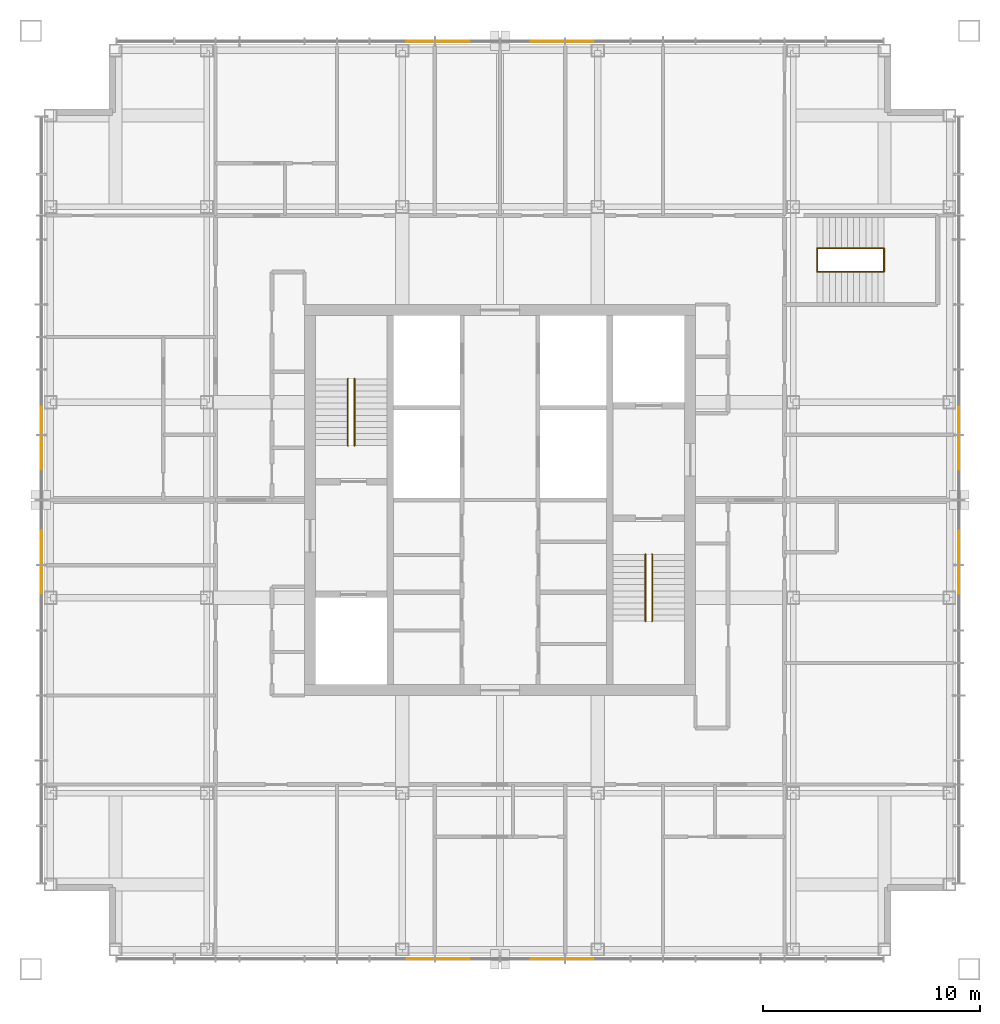
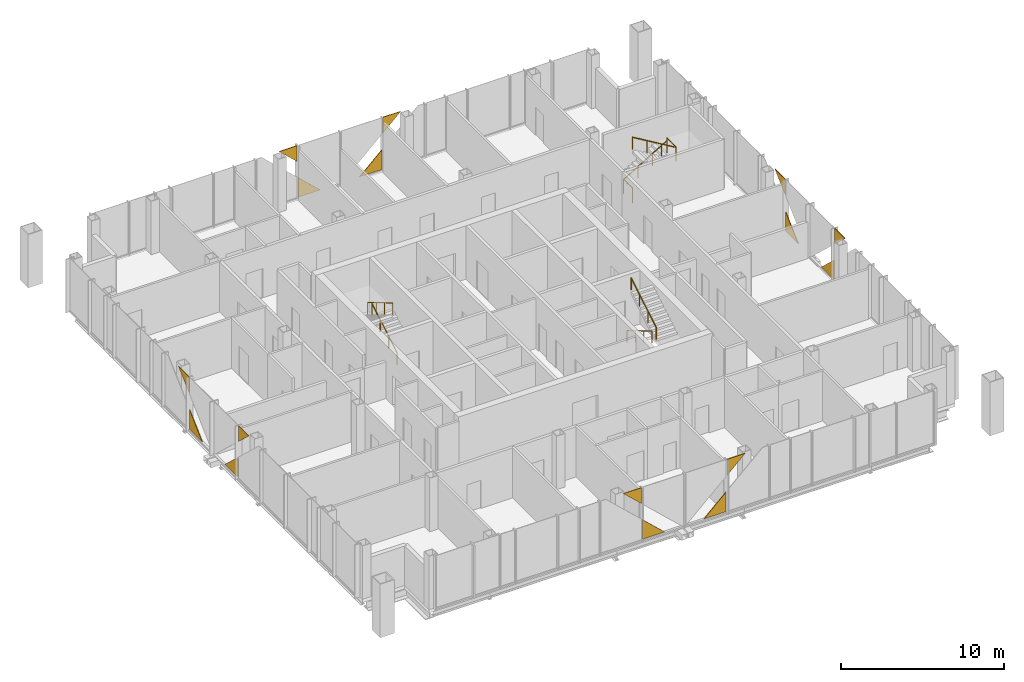
# One storey, part 12 of 12: 16 coverings, 8 railings.
"""IFC4 building model written with IfcOpenShell, lengths in metres."""

from ifc_helpers import new_model, si_unit, direction, frame, origin, origin_2d, place, context, subcontext, project, spatial, polyline, circle, outline, extrude, material, layer, layer_set, type_object, element, save


model = new_model("IFC4")

# Units and contexts
model_context = context("Model", 3, precision=1e-05, world=origin(), true_north=direction((0.0, 1.0)))
body_context = subcontext(model_context, "Body", "Model", "MODEL_VIEW")
ifc_project = project(units=[si_unit("LENGTHUNIT", "METRE"), si_unit("AREAUNIT", "SQUARE_METRE"), si_unit("VOLUMEUNIT", "CUBIC_METRE"), si_unit("PLANEANGLEUNIT", "RADIAN"), si_unit("MASSUNIT", "GRAM", prefix="KILO")], contexts=[model_context])

# Site, building, storey
site_placement = place(None, origin())
site = spatial("IfcSite", under=ifc_project, at=site_placement, CompositionType="ELEMENT")
building_placement = place(site_placement, origin())
building = spatial("IfcBuilding", under=site, at=building_placement, Name="Malebo Sky Hospital", CompositionType="ELEMENT")
storey_placement = place(building_placement, frame((0.0, 0.0, 270.0)))
storey = spatial("IfcBuildingStorey", under=building, at=storey_placement, Name="L65", CompositionType="ELEMENT", Elevation=270.0)

# Coverings
ifc_material_1 = material(Name="Anodised aluminium, natural silver insulated infill panel", Category="aluminium")
ifc_layer = layer(ifc_material_1, 0.0400390625)
ifc_layer_set = layer_set([ifc_layer], Name="BRACE INFILL PANEL 40")
covering_type = type_object("IfcCoveringType", Name="BRACE INFILL PANEL 40", PredefinedType="CLADDING", material=ifc_layer_set)
covering_1_placement = place(storey_placement, frame((56.328125, 83.125, 2.802001953125), z_axis=(0.0, 0.0, 1.0), x_axis=(1.0, 0.0, 0.0)))
element("IfcCovering", 1, at=covering_1_placement, inside=storey, type_object=covering_type, Name="Brace infill panel 7.1", PredefinedType="CLADDING", context=body_context, shape_type="SweptSolid", body=[
    extrude(outline(polyline([(0.634521484375, 0.0), (0.634521484375, 1.18798828125), (-0.63427734375, 1.18798828125), (0.634521484375, 0.0)])), frame((0.0, 0.02001953125, 0.0), z_axis=(0.0, -1.0, 0.0), x_axis=(1.0, 0.0, 0.0)), (0.0, 0.0, 1.0), 0.0400390625),
])
covering_2_placement = place(storey_placement, frame((57.8203125, 83.125, 0.10009765625), z_axis=(0.0, 0.0, 1.0), x_axis=(1.0, 0.0, 0.0)))
element("IfcCovering", 2, at=covering_2_placement, inside=storey, type_object=covering_type, Name="Brace infill panel 8.1", PredefinedType="CLADDING", context=body_context, shape_type="SweptSolid", body=[
    extrude(outline(polyline([(-0.782958984375, 0.0), (0.78271484375, 0.0), (-0.782958984375, 1.466064453125), (-0.782958984375, 0.0)])), frame((0.0, 0.02001953125, 0.0), z_axis=(0.0, -1.0, 0.0), x_axis=(1.0, 0.0, 0.0)), (0.0, 0.0, 1.0), 0.0400390625),
])
covering_3_placement = place(storey_placement, frame((62.1796875, 83.125, 0.10009765625), z_axis=(0.0, 0.0, 1.0), x_axis=(1.0, 0.0, 0.0)))
element("IfcCovering", 3, at=covering_3_placement, inside=storey, type_object=covering_type, Name="Brace infill panel 9.1", PredefinedType="CLADDING", context=body_context, shape_type="SweptSolid", body=[
    extrude(outline(polyline([(-0.78271484375, 0.0), (0.782958984375, 0.0), (0.782958984375, 1.466064453125), (-0.78271484375, 0.0)])), frame((0.0, 0.02001953125, 0.0), z_axis=(0.0, -1.0, 0.0), x_axis=(1.0, 0.0, 0.0)), (0.0, 0.0, 1.0), 0.0400390625),
])
covering_4_placement = place(storey_placement, frame((63.671875, 83.125, 2.802001953125), z_axis=(0.0, 0.0, 1.0), x_axis=(1.0, 0.0, 0.0)))
element("IfcCovering", 4, at=covering_4_placement, inside=storey, type_object=covering_type, Name="Brace infill panel 10.1", PredefinedType="CLADDING", context=body_context, shape_type="SweptSolid", body=[
    extrude(outline(polyline([(-0.634521484375, 0.0), (0.63427734375, 1.18798828125), (-0.634521484375, 1.18798828125), (-0.634521484375, 0.0)])), frame((0.0, 0.02001953125, 0.0), z_axis=(0.0, -1.0, 0.0), x_axis=(1.0, 0.0, 0.0)), (0.0, 0.0, 1.0), 0.0400390625),
])
covering_5_placement = place(storey_placement, frame((38.875, 58.328125, 2.802001953125), z_axis=(0.0, 0.0, 1.0), x_axis=(0.0, 1.0, 0.0)))
element("IfcCovering", 5, at=covering_5_placement, inside=storey, type_object=covering_type, Name="Brace infill panel 6.1", PredefinedType="CLADDING", context=body_context, shape_type="SweptSolid", body=[
    extrude(outline(polyline([(0.634521484375, 0.0), (0.634521484375, 1.18798828125), (-0.63427734375, 1.18798828125), (0.634521484375, 0.0)])), frame((0.0, 0.02001953125, 0.0), z_axis=(0.0, -1.0, 0.0), x_axis=(1.0, 0.0, 0.0)), (0.0, 0.0, 1.0), 0.0400390625),
])
covering_6_placement = place(storey_placement, frame((38.875, 59.8203125, 0.10009765625), z_axis=(0.0, 0.0, 1.0), x_axis=(0.0, 1.0, 0.0)))
element("IfcCovering", 6, at=covering_6_placement, inside=storey, type_object=covering_type, Name="Brace infill panel 7.1", PredefinedType="CLADDING", context=body_context, shape_type="SweptSolid", body=[
    extrude(outline(polyline([(-0.782958984375, 0.0), (0.78271484375, 0.0), (-0.782958984375, 1.466064453125), (-0.782958984375, 0.0)])), frame((0.0, 0.02001953125, 0.0), z_axis=(0.0, -1.0, 0.0), x_axis=(1.0, 0.0, 0.0)), (0.0, 0.0, 1.0), 0.0400390625),
])
covering_7_placement = place(storey_placement, frame((38.875, 64.1796875, 0.10009765625), z_axis=(0.0, 0.0, 1.0), x_axis=(0.0, 1.0, 0.0)))
element("IfcCovering", 7, at=covering_7_placement, inside=storey, type_object=covering_type, Name="Brace infill panel 8.1", PredefinedType="CLADDING", context=body_context, shape_type="SweptSolid", body=[
    extrude(outline(polyline([(-0.78271484375, 0.0), (0.782958984375, 0.0), (0.782958984375, 1.466064453125), (-0.78271484375, 0.0)])), frame((0.0, 0.02001953125, 0.0), z_axis=(0.0, -1.0, 0.0), x_axis=(1.0, 0.0, 0.0)), (0.0, 0.0, 1.0), 0.0400390625),
])
covering_8_placement = place(storey_placement, frame((38.875, 65.671875, 2.802001953125), z_axis=(0.0, 0.0, 1.0), x_axis=(0.0, 1.0, 0.0)))
element("IfcCovering", 8, at=covering_8_placement, inside=storey, type_object=covering_type, Name="Brace infill panel 9.1", PredefinedType="CLADDING", context=body_context, shape_type="SweptSolid", body=[
    extrude(outline(polyline([(-0.634521484375, 0.0), (0.63427734375, 1.18798828125), (-0.634521484375, 1.18798828125), (-0.634521484375, 0.0)])), frame((0.0, 0.02001953125, 0.0), z_axis=(0.0, -1.0, 0.0), x_axis=(1.0, 0.0, 0.0)), (0.0, 0.0, 1.0), 0.0400390625),
])
covering_9_placement = place(storey_placement, frame((63.671875, 40.875, 2.802001953125), z_axis=(0.0, 0.0, 1.0), x_axis=(-1.0, 0.0, 0.0)))
element("IfcCovering", 9, at=covering_9_placement, inside=storey, type_object=covering_type, Name="Brace infill panel 7.1", PredefinedType="CLADDING", context=body_context, shape_type="SweptSolid", body=[
    extrude(outline(polyline([(0.634521484375, 0.0), (0.634521484375, 1.18798828125), (-0.63427734375, 1.18798828125), (0.634521484375, 0.0)])), frame((0.0, 0.02001953125, 0.0), z_axis=(0.0, -1.0, 0.0), x_axis=(1.0, 0.0, 0.0)), (0.0, 0.0, 1.0), 0.0400390625),
])
covering_10_placement = place(storey_placement, frame((62.1796875, 40.875, 0.10009765625), z_axis=(0.0, 0.0, 1.0), x_axis=(-1.0, 0.0, 0.0)))
element("IfcCovering", 10, at=covering_10_placement, inside=storey, type_object=covering_type, Name="Brace infill panel 8.1", PredefinedType="CLADDING", context=body_context, shape_type="SweptSolid", body=[
    extrude(outline(polyline([(-0.782958984375, 0.0), (0.78271484375, 0.0), (-0.782958984375, 1.466064453125), (-0.782958984375, 0.0)])), frame((0.0, 0.02001953125, 0.0), z_axis=(0.0, -1.0, 0.0), x_axis=(1.0, 0.0, 0.0)), (0.0, 0.0, 1.0), 0.0400390625),
])
covering_11_placement = place(storey_placement, frame((57.8203125, 40.875, 0.10009765625), z_axis=(0.0, 0.0, 1.0), x_axis=(-1.0, 0.0, 0.0)))
element("IfcCovering", 11, at=covering_11_placement, inside=storey, type_object=covering_type, Name="Brace infill panel 9.1", PredefinedType="CLADDING", context=body_context, shape_type="SweptSolid", body=[
    extrude(outline(polyline([(-0.78271484375, 0.0), (0.782958984375, 0.0), (0.782958984375, 1.466064453125), (-0.78271484375, 0.0)])), frame((0.0, 0.02001953125, 0.0), z_axis=(0.0, -1.0, 0.0), x_axis=(1.0, 0.0, 0.0)), (0.0, 0.0, 1.0), 0.0400390625),
])
covering_12_placement = place(storey_placement, frame((56.328125, 40.875, 2.802001953125), z_axis=(0.0, 0.0, 1.0), x_axis=(-1.0, 0.0, 0.0)))
element("IfcCovering", 12, at=covering_12_placement, inside=storey, type_object=covering_type, Name="Brace infill panel 10.1", PredefinedType="CLADDING", context=body_context, shape_type="SweptSolid", body=[
    extrude(outline(polyline([(-0.634521484375, 0.0), (0.63427734375, 1.18798828125), (-0.634521484375, 1.18798828125), (-0.634521484375, 0.0)])), frame((0.0, 0.02001953125, 0.0), z_axis=(0.0, -1.0, 0.0), x_axis=(1.0, 0.0, 0.0)), (0.0, 0.0, 1.0), 0.0400390625),
])
covering_13_placement = place(storey_placement, frame((81.125, 65.671875, 2.802001953125), z_axis=(0.0, 0.0, 1.0), x_axis=(0.0, -1.0, 0.0)))
element("IfcCovering", 13, at=covering_13_placement, inside=storey, type_object=covering_type, Name="Brace infill panel 6.1", PredefinedType="CLADDING", context=body_context, shape_type="SweptSolid", body=[
    extrude(outline(polyline([(0.634521484375, 0.0), (0.634521484375, 1.18798828125), (-0.63427734375, 1.18798828125), (0.634521484375, 0.0)])), frame((0.0, 0.02001953125, 0.0), z_axis=(0.0, -1.0, 0.0), x_axis=(1.0, 0.0, 0.0)), (0.0, 0.0, 1.0), 0.0400390625),
])
covering_14_placement = place(storey_placement, frame((81.125, 64.1796875, 0.10009765625), z_axis=(0.0, 0.0, 1.0), x_axis=(0.0, -1.0, 0.0)))
element("IfcCovering", 14, at=covering_14_placement, inside=storey, type_object=covering_type, Name="Brace infill panel 7.1", PredefinedType="CLADDING", context=body_context, shape_type="SweptSolid", body=[
    extrude(outline(polyline([(-0.782958984375, 0.0), (0.78271484375, 0.0), (-0.782958984375, 1.466064453125), (-0.782958984375, 0.0)])), frame((0.0, 0.02001953125, 0.0), z_axis=(0.0, -1.0, 0.0), x_axis=(1.0, 0.0, 0.0)), (0.0, 0.0, 1.0), 0.0400390625),
])
covering_15_placement = place(storey_placement, frame((81.125, 59.8203125, 0.10009765625), z_axis=(0.0, 0.0, 1.0), x_axis=(0.0, -1.0, 0.0)))
element("IfcCovering", 15, at=covering_15_placement, inside=storey, type_object=covering_type, Name="Brace infill panel 8.1", PredefinedType="CLADDING", context=body_context, shape_type="SweptSolid", body=[
    extrude(outline(polyline([(-0.78271484375, 0.0), (0.782958984375, 0.0), (0.782958984375, 1.466064453125), (-0.78271484375, 0.0)])), frame((0.0, 0.02001953125, 0.0), z_axis=(0.0, -1.0, 0.0), x_axis=(1.0, 0.0, 0.0)), (0.0, 0.0, 1.0), 0.0400390625),
])
covering_16_placement = place(storey_placement, frame((81.125, 58.328125, 2.802001953125), z_axis=(0.0, 0.0, 1.0), x_axis=(0.0, -1.0, 0.0)))
element("IfcCovering", 16, at=covering_16_placement, inside=storey, type_object=covering_type, Name="Brace infill panel 9.1", PredefinedType="CLADDING", context=body_context, shape_type="SweptSolid", body=[
    extrude(outline(polyline([(-0.634521484375, 0.0), (0.63427734375, 1.18798828125), (-0.634521484375, 1.18798828125), (-0.634521484375, 0.0)])), frame((0.0, 0.02001953125, 0.0), z_axis=(0.0, -1.0, 0.0), x_axis=(1.0, 0.0, 0.0)), (0.0, 0.0, 1.0), 0.0400390625),
])

# Railings
ifc_material_2 = material(Name="Stainless steel balustrade", Category="steel")
railing_type_1 = type_object("IfcRailingType", Name="STAIR GUARD 1100", PredefinedType="GUARDRAIL", material=ifc_material_2)
for number, where, name in (
    (17, (74.60009765625, 72.5, 0.0), "Stair guard S3 floor landing"),
    (18, (77.679931640625, 72.5, 2.0), "Stair guard S3 mid landing"),
):
    element("IfcRailing", number, at=place(storey_placement, frame(where)), inside=storey, type_object=railing_type_1, Name=name, PredefinedType="GUARDRAIL", context=body_context, shape_type="SweptSolid", body=[
        extrude(circle(Radius=0.02392578125, at=origin_2d()), frame((0.0, 0.0, 1.076171875), z_axis=(0.0, 1.0, 0.0), x_axis=(-1.0, 0.0, 0.0)), (0.0, 0.0, 1.0), 1.10009765625),
        extrude(circle(Radius=0.02099609375, at=origin_2d()), origin(), (0.0, 0.0, 1.0), 1.052001953125),
        extrude(circle(Radius=0.02099609375, at=origin_2d()), frame((0.0, 1.10009765625, 0.0)), (0.0, 0.0, 1.0), 1.052001953125),
    ])
ifc_material_3 = material(Name="Stainless steel tube", Category="steel")
railing_type_2 = type_object("IfcRailingType", Name="STAIR HANDRAIL 900", PredefinedType="HANDRAIL", material=ifc_material_3)
railing_1_placement = place(storey_placement, frame((53.300048828125, 64.5, 0.166748046875)))
element("IfcRailing", 19, at=railing_1_placement, inside=storey, type_object=railing_type_2, Name="Stair handrail S1 flight 1", PredefinedType="HANDRAIL", context=body_context, shape_type="SweptSolid", body=[
    extrude(circle(Radius=0.02392578125, at=origin_2d()), frame((0.0, 0.0, 0.8759765625), z_axis=(0.0, 0.859308565015, 0.511457515432), x_axis=(-1.0, 0.0, 0.0)), (0.0, 0.0, 1.0), 3.58447265625),
    extrude(circle(Radius=0.02099609375, at=origin_2d()), origin(), (0.0, 0.0, 1.0), 0.851806640625),
    extrude(circle(Radius=0.02099609375, at=origin_2d()), frame((0.0, 1.026611328125, 0.611083984375)), (0.0, 0.0, 1.0), 0.851806640625),
    extrude(circle(Radius=0.02099609375, at=origin_2d()), frame((0.0, 2.053466796875, 1.22216796875)), (0.0, 0.0, 1.0), 0.851806640625),
    extrude(circle(Radius=0.02099609375, at=origin_2d()), frame((0.0, 3.080078125, 1.833251953125)), (0.0, 0.0, 1.0), 0.851806640625),
])
for number, where, name in (
    (20, (53.0, 67.580078125, 2.166748046875), "Stair handrail S1 flight 2"),
    (21, (66.699951171875, 59.5, 0.166748046875), "Stair handrail S2 flight 1"),
):
    element("IfcRailing", number, at=place(storey_placement, frame(where)), inside=storey, type_object=railing_type_2, Name=name, PredefinedType="HANDRAIL", context=body_context, shape_type="SweptSolid", body=[
        extrude(circle(Radius=0.02392578125, at=origin_2d()), frame((0.0, 0.0, 0.8759765625), z_axis=(0.0, -0.859308565015, 0.511457515432), x_axis=(1.0, 0.0, 0.0)), (0.0, 0.0, 1.0), 3.58447265625),
        extrude(circle(Radius=0.02099609375, at=origin_2d()), origin(), (0.0, 0.0, 1.0), 0.851806640625),
        extrude(circle(Radius=0.02099609375, at=origin_2d()), frame((0.0, -1.026611328125, 0.611083984375)), (0.0, 0.0, 1.0), 0.851806640625),
        extrude(circle(Radius=0.02099609375, at=origin_2d()), frame((0.0, -2.053466796875, 1.22216796875)), (0.0, 0.0, 1.0), 0.851806640625),
        extrude(circle(Radius=0.02099609375, at=origin_2d()), frame((0.0, -3.080078125, 1.833251953125)), (0.0, 0.0, 1.0), 0.851806640625),
    ])
railing_2_placement = place(storey_placement, frame((67.0, 56.419921875, 2.166748046875)))
element("IfcRailing", 22, at=railing_2_placement, inside=storey, type_object=railing_type_2, Name="Stair handrail S2 flight 2", PredefinedType="HANDRAIL", context=body_context, shape_type="SweptSolid", body=[
    extrude(circle(Radius=0.02392578125, at=origin_2d()), frame((0.0, 0.0, 0.8759765625), z_axis=(0.0, 0.859308565015, 0.511457515432), x_axis=(-1.0, 0.0, 0.0)), (0.0, 0.0, 1.0), 3.58447265625),
    extrude(circle(Radius=0.02099609375, at=origin_2d()), origin(), (0.0, 0.0, 1.0), 0.851806640625),
    extrude(circle(Radius=0.02099609375, at=origin_2d()), frame((0.0, 1.026611328125, 0.611083984375)), (0.0, 0.0, 1.0), 0.851806640625),
    extrude(circle(Radius=0.02099609375, at=origin_2d()), frame((0.0, 2.053466796875, 1.22216796875)), (0.0, 0.0, 1.0), 0.851806640625),
    extrude(circle(Radius=0.02099609375, at=origin_2d()), frame((0.0, 3.080078125, 1.833251953125)), (0.0, 0.0, 1.0), 0.851806640625),
])
railing_3_placement = place(storey_placement, frame((74.60009765625, 73.60009765625, 0.166748046875)))
element("IfcRailing", 23, at=railing_3_placement, inside=storey, type_object=railing_type_2, Name="Stair handrail S3 flight 1", PredefinedType="HANDRAIL", context=body_context, shape_type="SweptSolid", body=[
    extrude(circle(Radius=0.02392578125, at=origin_2d()), frame((0.0, 0.0, 0.8759765625), z_axis=(0.859290745958, 0.0, 0.51148745235), x_axis=(0.0, 1.0, 0.0)), (0.0, 0.0, 1.0), 3.584228515625),
    extrude(circle(Radius=0.02099609375, at=origin_2d()), origin(), (0.0, 0.0, 1.0), 0.851806640625),
    extrude(circle(Radius=0.02099609375, at=origin_2d()), frame((1.026611328125, 0.0, 0.611083984375)), (0.0, 0.0, 1.0), 0.851806640625),
    extrude(circle(Radius=0.02099609375, at=origin_2d()), frame((2.05322265625, 0.0, 1.22216796875)), (0.0, 0.0, 1.0), 0.851806640625),
    extrude(circle(Radius=0.02099609375, at=origin_2d()), frame((3.079833984375, 0.0, 1.833251953125)), (0.0, 0.0, 1.0), 0.851806640625),
])
railing_4_placement = place(storey_placement, frame((77.679931640625, 72.5, 2.166748046875)))
element("IfcRailing", 24, at=railing_4_placement, inside=storey, type_object=railing_type_2, Name="Stair handrail S3 flight 2", PredefinedType="HANDRAIL", context=body_context, shape_type="SweptSolid", body=[
    extrude(circle(Radius=0.02392578125, at=origin_2d()), frame((0.0, 0.0, 0.8759765625), z_axis=(-0.859290745958, 0.0, 0.51148745235), x_axis=(0.0, -1.0, 0.0)), (0.0, 0.0, 1.0), 3.584228515625),
    extrude(circle(Radius=0.02099609375, at=origin_2d()), origin(), (0.0, 0.0, 1.0), 0.851806640625),
    extrude(circle(Radius=0.02099609375, at=origin_2d()), frame((-1.026611328125, 0.0, 0.611083984375)), (0.0, 0.0, 1.0), 0.851806640625),
    extrude(circle(Radius=0.02099609375, at=origin_2d()), frame((-2.05322265625, 0.0, 1.22216796875)), (0.0, 0.0, 1.0), 0.851806640625),
    extrude(circle(Radius=0.02099609375, at=origin_2d()), frame((-3.079833984375, 0.0, 1.833251953125)), (0.0, 0.0, 1.0), 0.851806640625),
])

save(model, "model.ifc")
